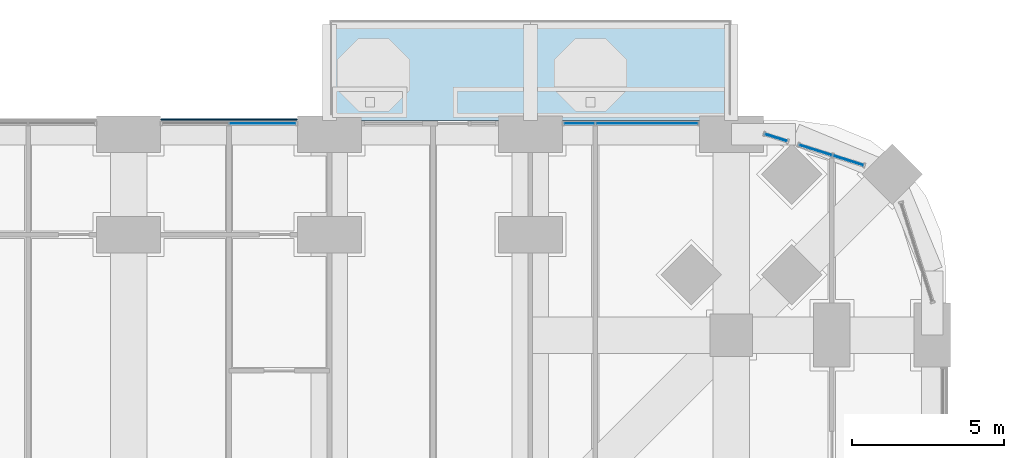
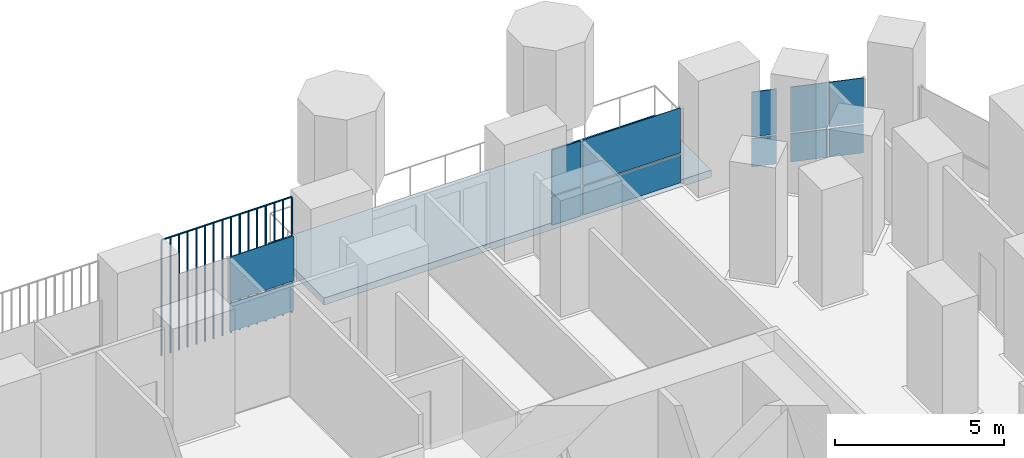
# One storey, part 17 of 27: 13 plates, 1 slab, 4 elements without a shape of their own.
"""IFC4 building model written with IfcOpenShell, lengths in metres."""

from ifc_helpers import new_model, si_unit, direction, frame, origin, origin_2d, place, context, subcontext, project, spatial, polyline, rectangle, outline, extrude, material, layer, layer_set, type_object, element, aggregate, save


model = new_model("IFC4")

# Units and contexts
model_context = context("Model", 3, precision=1e-05, world=origin(), true_north=direction((0.0, 1.0)))
body_context = subcontext(model_context, "Body", "Model", "MODEL_VIEW")
ifc_project = project(units=[si_unit("LENGTHUNIT", "METRE"), si_unit("AREAUNIT", "SQUARE_METRE"), si_unit("VOLUMEUNIT", "CUBIC_METRE"), si_unit("PLANEANGLEUNIT", "RADIAN"), si_unit("MASSUNIT", "GRAM", prefix="KILO")], contexts=[model_context])

# Site, building, storey
site_placement = place(None, origin())
site = spatial("IfcSite", under=ifc_project, at=site_placement, CompositionType="ELEMENT")
building_placement = place(site_placement, origin())
building = spatial("IfcBuilding", under=site, at=building_placement, Name="Cobogo Forest Laboratory Tower", CompositionType="ELEMENT")
storey_placement = place(building_placement, frame((0.0, 0.0, 38.10009765625)))
storey = spatial("IfcBuildingStorey", under=building, at=storey_placement, Name="L08", CompositionType="ELEMENT", Elevation=38.10009765625)

# Slab
ifc_material_1 = material(Name="Concrete HA-40 (C40/50)", Category="concrete")
ifc_layer_1 = layer(ifc_material_1, 0.25)
ifc_layer_set_1 = layer_set([ifc_layer_1], Name="Balcony slab 250")
slab_type = type_object("IfcSlabType", Name="Balcony slab 250", PredefinedType="FLOOR", material=ifc_layer_set_1)
slab_placement = place(storey_placement, frame((0.0, 0.0, -0.25)))
element("IfcSlab", 1, at=slab_placement, inside=storey, type_object=slab_type, Name="Balcony BAL-N2 L08", PredefinedType="FLOOR", context=body_context, shape_type="SweptSolid", body=[
    extrude(outline(polyline([(33.0, 46.64990234375), (46.199951171875, 46.64990234375), (46.199951171875, 49.949951171875), (33.0, 49.949951171875), (33.0, 46.64990234375)])), origin(), (0.0, 0.0, 1.0), 0.25),
])

# Curtain wall, plates
ifc_material_2 = material(Name="Aluminium curtain wall", Category="aluminium")
curtain_wall_type = type_object("IfcCurtainWallType", Name="CW-1 unitised curtain wall, clear glazing, laboratory floors zones A and B", PredefinedType="USERDEFINED", material=ifc_material_2)
curtain_wall_1_placement = place(storey_placement, origin())
curtain_wall_1 = element("IfcCurtainWall", 2, at=curtain_wall_1_placement, inside=storey, type_object=curtain_wall_type, Name="Curtain wall 16 L08", ObjectType="UNITISED CURTAIN WALL", PredefinedType="USERDEFINED")
ifc_material_3 = material(Name="Clear insulated glass", Category="glass")
ifc_layer_2 = layer(ifc_material_3, 0.028076171875)
ifc_layer_set_2 = layer_set([ifc_layer_2], Name="GP-1 clear insulated glass unit 28")
plate_type_1 = type_object("IfcPlateType", Name="GP-1 clear insulated glass unit 28", PredefinedType="CURTAIN_PANEL", material=ifc_layer_set_2)
plate_1_placement = place(storey_placement, frame((50.042724609375, 45.33642578125, 0.0), z_axis=(0.0, 0.0, 1.0), x_axis=(-0.953581409645, 0.301135343623, 0.0)))
plate_1 = element("IfcPlate", 3, at=plate_1_placement, type_object=plate_type_1, Name="CW-1 panel 1.1", PredefinedType="CURTAIN_PANEL", context=body_context, shape_type="SweptSolid", body=[
    extrude(rectangle(XDim=1.027587890625, YDim=0.028076171875, at=origin_2d()), origin(), (0.0, 0.0, 1.0), 1.02001953125),
])
plate_2_placement = place(storey_placement, frame((50.042724609375, 45.33642578125, 1.079833984375), z_axis=(0.0, 0.0, 1.0), x_axis=(-0.953581409645, 0.301135343623, 0.0)))
plate_2 = element("IfcPlate", 4, at=plate_2_placement, type_object=plate_type_1, Name="CW-1 panel 1.2", PredefinedType="CURTAIN_PANEL", context=body_context, shape_type="SweptSolid", body=[
    extrude(rectangle(XDim=1.027587890625, YDim=0.028076171875, at=origin_2d()), origin(), (0.0, 0.0, 1.0), 1.6201171875),
])
plate_3_placement = place(storey_placement, frame((48.963623046875, 45.67724609375, 0.0), z_axis=(0.0, 0.0, 1.0), x_axis=(-0.953581409645, 0.301135343623, 0.0)))
plate_3 = element("IfcPlate", 5, at=plate_3_placement, type_object=plate_type_1, Name="CW-1 panel 2.1", PredefinedType="CURTAIN_PANEL", context=body_context, shape_type="SweptSolid", body=[
    extrude(rectangle(XDim=1.11572265625, YDim=0.028076171875, at=origin_2d()), origin(), (0.0, 0.0, 1.0), 1.02001953125),
])
plate_4_placement = place(storey_placement, frame((48.963623046875, 45.67724609375, 1.079833984375), z_axis=(0.0, 0.0, 1.0), x_axis=(-0.953581409645, 0.301135343623, 0.0)))
plate_4 = element("IfcPlate", 6, at=plate_4_placement, type_object=plate_type_1, Name="CW-1 panel 2.2", PredefinedType="CURTAIN_PANEL", context=body_context, shape_type="SweptSolid", body=[
    extrude(rectangle(XDim=1.11572265625, YDim=0.028076171875, at=origin_2d()), origin(), (0.0, 0.0, 1.0), 1.6201171875),
])
aggregate(curtain_wall_1, [plate_1, plate_2, plate_3, plate_4])

curtain_wall_2_placement = place(storey_placement, origin())
curtain_wall_2 = element("IfcCurtainWall", 7, at=curtain_wall_2_placement, inside=storey, type_object=curtain_wall_type, Name="Curtain wall 17 L08", ObjectType="UNITISED CURTAIN WALL", PredefinedType="USERDEFINED")
plate_5_placement = place(storey_placement, frame((47.666015625, 46.087158203125, 0.0), z_axis=(0.0, 0.0, 1.0), x_axis=(-0.953581504428, 0.301135043481, 0.0)))
plate_5 = element("IfcPlate", 8, at=plate_5_placement, type_object=plate_type_1, Name="CW-1 panel 1.1", PredefinedType="CURTAIN_PANEL", context=body_context, shape_type="SweptSolid", body=[
    extrude(rectangle(XDim=0.75244140625, YDim=0.028076171875, at=origin_2d()), origin(), (0.0, 0.0, 1.0), 1.02001953125),
])
plate_6_placement = place(storey_placement, frame((47.666015625, 46.087158203125, 1.079833984375), z_axis=(0.0, 0.0, 1.0), x_axis=(-0.953581504428, 0.301135043481, 0.0)))
plate_6 = element("IfcPlate", 9, at=plate_6_placement, type_object=plate_type_1, Name="CW-1 panel 1.2", PredefinedType="CURTAIN_PANEL", context=body_context, shape_type="SweptSolid", body=[
    extrude(rectangle(XDim=0.75244140625, YDim=0.028076171875, at=origin_2d()), origin(), (0.0, 0.0, 1.0), 1.6201171875),
])
aggregate(curtain_wall_2, [plate_5, plate_6])

curtain_wall_3_placement = place(storey_placement, origin())
curtain_wall_3 = element("IfcCurtainWall", 10, at=curtain_wall_3_placement, inside=storey, type_object=curtain_wall_type, Name="Curtain wall 18 L08", ObjectType="UNITISED CURTAIN WALL", PredefinedType="USERDEFINED")
plate_7_placement = place(storey_placement, frame((43.422607421875, 46.550048828125, 0.0), z_axis=(0.0, 0.0, 1.0), x_axis=(-1.0, 0.0, 0.0)))
plate_7 = element("IfcPlate", 11, at=plate_7_placement, type_object=plate_type_1, Name="CW-1 panel 1.1", PredefinedType="CURTAIN_PANEL", context=body_context, shape_type="SweptSolid", body=[
    extrude(rectangle(XDim=3.3349609375, YDim=0.028076171875, at=origin_2d()), origin(), (0.0, 0.0, 1.0), 1.02001953125),
])
plate_8_placement = place(storey_placement, frame((43.422607421875, 46.550048828125, 1.079833984375), z_axis=(0.0, 0.0, 1.0), x_axis=(-1.0, 0.0, 0.0)))
plate_8 = element("IfcPlate", 12, at=plate_8_placement, type_object=plate_type_1, Name="CW-1 panel 1.2", PredefinedType="CURTAIN_PANEL", context=body_context, shape_type="SweptSolid", body=[
    extrude(rectangle(XDim=3.3349609375, YDim=0.028076171875, at=origin_2d()), origin(), (0.0, 0.0, 1.0), 1.6201171875),
])
plate_9_placement = place(storey_placement, frame((41.202392578125, 46.550048828125, 0.0), z_axis=(0.0, 0.0, 1.0), x_axis=(-1.0, 0.0, 0.0)))
plate_9 = element("IfcPlate", 13, at=plate_9_placement, type_object=plate_type_1, Name="CW-1 panel 2.1", PredefinedType="CURTAIN_PANEL", context=body_context, shape_type="SweptSolid", body=[
    extrude(rectangle(XDim=0.985107421875, YDim=0.028076171875, at=origin_2d()), origin(), (0.0, 0.0, 1.0), 1.02001953125),
])
plate_10_placement = place(storey_placement, frame((41.202392578125, 46.550048828125, 1.079833984375), z_axis=(0.0, 0.0, 1.0), x_axis=(-1.0, 0.0, 0.0)))
plate_10 = element("IfcPlate", 14, at=plate_10_placement, type_object=plate_type_1, Name="CW-1 panel 2.2", PredefinedType="CURTAIN_PANEL", context=body_context, shape_type="SweptSolid", body=[
    extrude(rectangle(XDim=0.985107421875, YDim=0.028076171875, at=origin_2d()), origin(), (0.0, 0.0, 1.0), 1.6201171875),
])
aggregate(curtain_wall_3, [plate_7, plate_8, plate_9, plate_10])

curtain_wall_4_placement = place(storey_placement, origin())
curtain_wall_4 = element("IfcCurtainWall", 15, at=curtain_wall_4_placement, inside=storey, type_object=curtain_wall_type, Name="Curtain wall 20 L08", ObjectType="UNITISED CURTAIN WALL", PredefinedType="USERDEFINED")
plate_11_placement = place(storey_placement, frame((30.81005859375, 46.550048828125, 0.0), z_axis=(0.0, 0.0, 1.0), x_axis=(-1.0, 0.0, 0.0)))
plate_11 = element("IfcPlate", 16, at=plate_11_placement, type_object=plate_type_1, Name="CW-1 panel 1.1", PredefinedType="CURTAIN_PANEL", context=body_context, shape_type="SweptSolid", body=[
    extrude(rectangle(XDim=2.159912109375, YDim=0.028076171875, at=origin_2d()), origin(), (0.0, 0.0, 1.0), 1.02001953125),
])
plate_12_placement = place(storey_placement, frame((30.81005859375, 46.550048828125, 1.079833984375), z_axis=(0.0, 0.0, 1.0), x_axis=(-1.0, 0.0, 0.0)))
plate_12 = element("IfcPlate", 17, at=plate_12_placement, type_object=plate_type_1, Name="CW-1 panel 1.2", PredefinedType="CURTAIN_PANEL", context=body_context, shape_type="SweptSolid", body=[
    extrude(rectangle(XDim=2.159912109375, YDim=0.028076171875, at=origin_2d()), origin(), (0.0, 0.0, 1.0), 1.6201171875),
])
aggregate(curtain_wall_4, [plate_11, plate_12])

# Plate
ifc_material_4 = material(Name="Terracotta", Category="masonry")
plate_type_2 = type_object("IfcPlateType", Name="TB1 terracotta baguette screen", PredefinedType="USERDEFINED", material=ifc_material_4)
plate_13_placement = place(storey_placement, frame((27.481201171875, 46.677978515625, -0.150146484375)))
element("IfcPlate", 18, at=plate_13_placement, inside=storey, type_object=plate_type_2, Name="Baguette screen N4 L08", ObjectType="BAGUETTE SCREEN", PredefinedType="USERDEFINED", context=body_context, shape_type="SweptSolid", body=[
    extrude(outline(polyline([(0.02880859375, 0.011962890625), (0.011962890625, 0.02880859375), (-0.011962890625, 0.02880859375), (-0.02880859375, 0.011962890625), (-0.02880859375, -0.011962890625), (-0.011962890625, -0.02880859375), (0.011962890625, -0.02880859375), (0.02880859375, -0.011962890625), (0.02880859375, 0.011962890625)])), frame((0.0, 0.0, 4.168701171875), z_axis=(1.0, 0.0, 0.0), x_axis=(0.0, 1.0, 0.0)), (0.0, 0.0, 1.0), 4.4375),
    extrude(outline(polyline([(0.02880859375, 0.011962890625), (0.011962890625, 0.02880859375), (-0.011962890625, 0.02880859375), (-0.02880859375, 0.011962890625), (-0.02880859375, -0.011962890625), (-0.011962890625, -0.02880859375), (0.011962890625, -0.02880859375), (0.02880859375, -0.011962890625), (0.02880859375, 0.011962890625)])), origin(), (0.0, 0.0, 1.0), 4.137451171875),
    extrude(outline(polyline([(0.02880859375, 0.011962890625), (0.011962890625, 0.02880859375), (-0.011962890625, 0.02880859375), (-0.02880859375, 0.011962890625), (-0.02880859375, -0.011962890625), (-0.011962890625, -0.02880859375), (0.011962890625, -0.02880859375), (0.02880859375, -0.011962890625), (0.02880859375, 0.011962890625)])), frame((0.2958984375, 0.0, 0.0)), (0.0, 0.0, 1.0), 4.137451171875),
    extrude(outline(polyline([(0.02880859375, 0.011962890625), (0.011962890625, 0.02880859375), (-0.011962890625, 0.02880859375), (-0.02880859375, 0.011962890625), (-0.02880859375, -0.011962890625), (-0.011962890625, -0.02880859375), (0.011962890625, -0.02880859375), (0.02880859375, -0.011962890625), (0.02880859375, 0.011962890625)])), frame((0.591552734375, 0.0, 0.0)), (0.0, 0.0, 1.0), 4.137451171875),
    extrude(outline(polyline([(0.02880859375, 0.011962890625), (0.011962890625, 0.02880859375), (-0.011962890625, 0.02880859375), (-0.02880859375, 0.011962890625), (-0.02880859375, -0.011962890625), (-0.011962890625, -0.02880859375), (0.011962890625, -0.02880859375), (0.02880859375, -0.011962890625), (0.02880859375, 0.011962890625)])), frame((0.887451171875, 0.0, 0.0)), (0.0, 0.0, 1.0), 4.137451171875),
    extrude(outline(polyline([(0.02880859375, 0.011962890625), (0.011962890625, 0.02880859375), (-0.011962890625, 0.02880859375), (-0.02880859375, 0.011962890625), (-0.02880859375, -0.011962890625), (-0.011962890625, -0.02880859375), (0.011962890625, -0.02880859375), (0.02880859375, -0.011962890625), (0.02880859375, 0.011962890625)])), frame((1.183349609375, 0.0, 0.0)), (0.0, 0.0, 1.0), 4.137451171875),
    extrude(outline(polyline([(0.02880859375, 0.011962890625), (0.011962890625, 0.02880859375), (-0.011962890625, 0.02880859375), (-0.02880859375, 0.011962890625), (-0.02880859375, -0.011962890625), (-0.011962890625, -0.02880859375), (0.011962890625, -0.02880859375), (0.02880859375, -0.011962890625), (0.02880859375, 0.011962890625)])), frame((1.479248046875, 0.0, 0.0)), (0.0, 0.0, 1.0), 4.137451171875),
    extrude(outline(polyline([(0.02880859375, 0.011962890625), (0.011962890625, 0.02880859375), (-0.011962890625, 0.02880859375), (-0.02880859375, 0.011962890625), (-0.02880859375, -0.011962890625), (-0.011962890625, -0.02880859375), (0.011962890625, -0.02880859375), (0.02880859375, -0.011962890625), (0.02880859375, 0.011962890625)])), frame((1.77490234375, 0.0, 0.0)), (0.0, 0.0, 1.0), 4.137451171875),
    extrude(outline(polyline([(0.02880859375, 0.011962890625), (0.011962890625, 0.02880859375), (-0.011962890625, 0.02880859375), (-0.02880859375, 0.011962890625), (-0.02880859375, -0.011962890625), (-0.011962890625, -0.02880859375), (0.011962890625, -0.02880859375), (0.02880859375, -0.011962890625), (0.02880859375, 0.011962890625)])), frame((2.07080078125, 0.0, 0.0)), (0.0, 0.0, 1.0), 4.137451171875),
    extrude(outline(polyline([(0.02880859375, 0.011962890625), (0.011962890625, 0.02880859375), (-0.011962890625, 0.02880859375), (-0.02880859375, 0.011962890625), (-0.02880859375, -0.011962890625), (-0.011962890625, -0.02880859375), (0.011962890625, -0.02880859375), (0.02880859375, -0.011962890625), (0.02880859375, 0.011962890625)])), frame((2.36669921875, 0.0, 0.0)), (0.0, 0.0, 1.0), 4.137451171875),
    extrude(outline(polyline([(0.02880859375, 0.011962890625), (0.011962890625, 0.02880859375), (-0.011962890625, 0.02880859375), (-0.02880859375, 0.011962890625), (-0.02880859375, -0.011962890625), (-0.011962890625, -0.02880859375), (0.011962890625, -0.02880859375), (0.02880859375, -0.011962890625), (0.02880859375, 0.011962890625)])), frame((2.66259765625, 0.0, 0.0)), (0.0, 0.0, 1.0), 4.137451171875),
    extrude(outline(polyline([(0.02880859375, 0.011962890625), (0.011962890625, 0.02880859375), (-0.011962890625, 0.02880859375), (-0.02880859375, 0.011962890625), (-0.02880859375, -0.011962890625), (-0.011962890625, -0.02880859375), (0.011962890625, -0.02880859375), (0.02880859375, -0.011962890625), (0.02880859375, 0.011962890625)])), frame((2.958251953125, 0.0, 0.0)), (0.0, 0.0, 1.0), 4.137451171875),
    extrude(outline(polyline([(0.02880859375, 0.011962890625), (0.011962890625, 0.02880859375), (-0.011962890625, 0.02880859375), (-0.02880859375, 0.011962890625), (-0.02880859375, -0.011962890625), (-0.011962890625, -0.02880859375), (0.011962890625, -0.02880859375), (0.02880859375, -0.011962890625), (0.02880859375, 0.011962890625)])), frame((3.254150390625, 0.0, 0.0)), (0.0, 0.0, 1.0), 4.137451171875),
    extrude(outline(polyline([(0.02880859375, 0.011962890625), (0.011962890625, 0.02880859375), (-0.011962890625, 0.02880859375), (-0.02880859375, 0.011962890625), (-0.02880859375, -0.011962890625), (-0.011962890625, -0.02880859375), (0.011962890625, -0.02880859375), (0.02880859375, -0.011962890625), (0.02880859375, 0.011962890625)])), frame((3.550048828125, 0.0, 0.0)), (0.0, 0.0, 1.0), 4.137451171875),
    extrude(outline(polyline([(0.02880859375, 0.011962890625), (0.011962890625, 0.02880859375), (-0.011962890625, 0.02880859375), (-0.02880859375, 0.011962890625), (-0.02880859375, -0.011962890625), (-0.011962890625, -0.02880859375), (0.011962890625, -0.02880859375), (0.02880859375, -0.011962890625), (0.02880859375, 0.011962890625)])), frame((3.845947265625, 0.0, 0.0)), (0.0, 0.0, 1.0), 4.137451171875),
    extrude(outline(polyline([(0.02880859375, 0.011962890625), (0.011962890625, 0.02880859375), (-0.011962890625, 0.02880859375), (-0.02880859375, 0.011962890625), (-0.02880859375, -0.011962890625), (-0.011962890625, -0.02880859375), (0.011962890625, -0.02880859375), (0.02880859375, -0.011962890625), (0.02880859375, 0.011962890625)])), frame((4.1416015625, 0.0, 0.0)), (0.0, 0.0, 1.0), 4.137451171875),
    extrude(outline(polyline([(0.02880859375, 0.011962890625), (0.011962890625, 0.02880859375), (-0.011962890625, 0.02880859375), (-0.02880859375, 0.011962890625), (-0.02880859375, -0.011962890625), (-0.011962890625, -0.02880859375), (0.011962890625, -0.02880859375), (0.02880859375, -0.011962890625), (0.02880859375, 0.011962890625)])), frame((4.4375, 0.0, 0.0)), (0.0, 0.0, 1.0), 4.137451171875),
])

save(model, "model.ifc")
